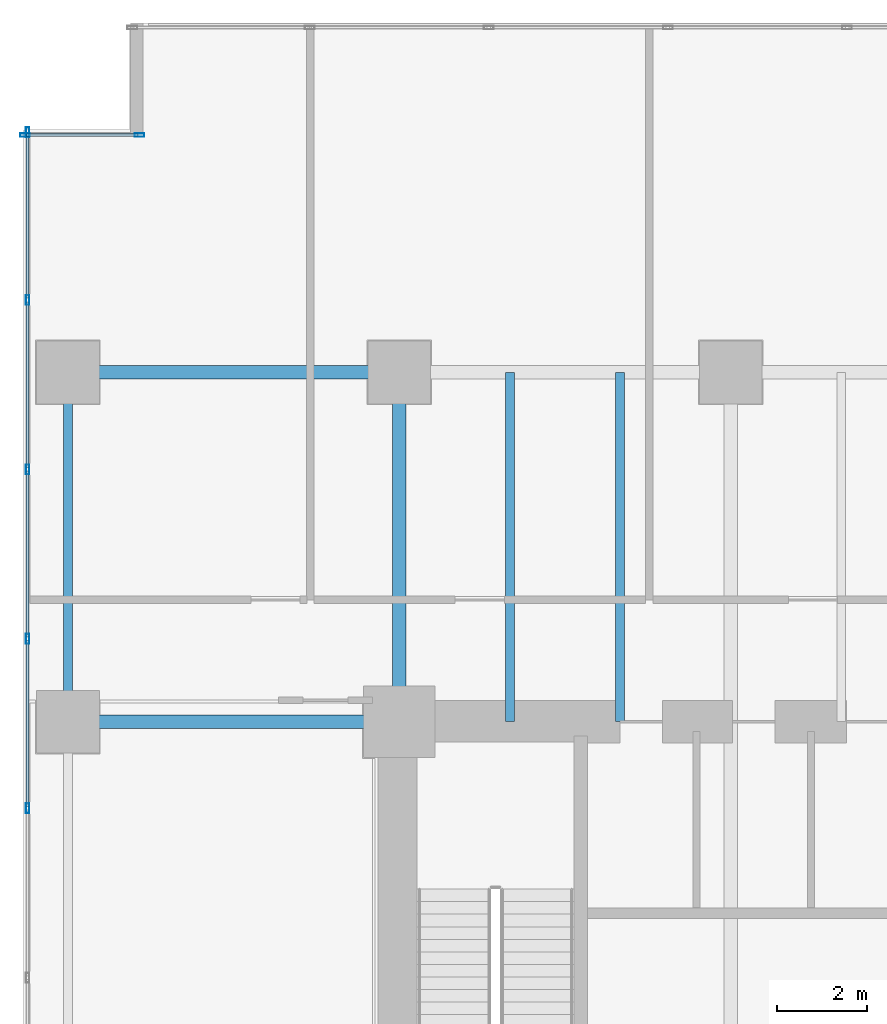
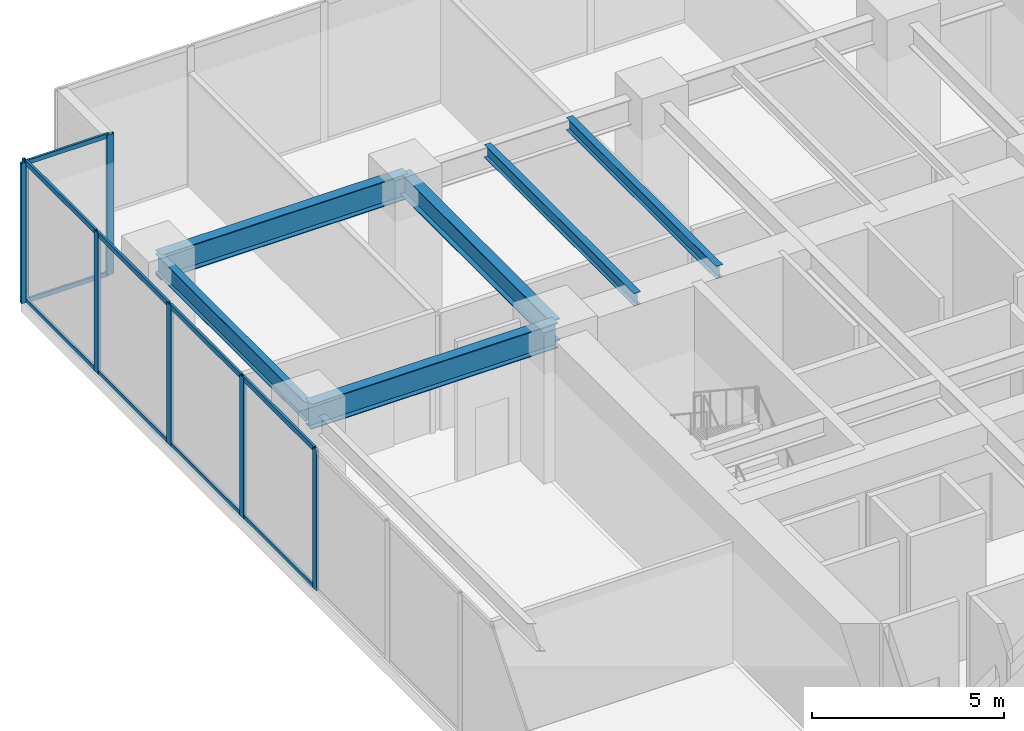
# One storey, part 15 of 39: 17 members, 6 beams, 2 elements without a shape of their own.
"""IFC4 building model written with IfcOpenShell, lengths in metres."""

from ifc_helpers import new_model, si_unit, direction, frame, origin, origin_2d, place, context, subcontext, project, spatial, hollow_rectangle, i_section, extrude, source, transform, mapped, material, layer, layer_set, material_profile, profile_set, type_object, type_shapes, element, aggregate, save


model = new_model("IFC4")

# Units and contexts
model_context = context("Model", 3, precision=1e-05, world=origin(), true_north=direction((0.0, 1.0)))
body_context = subcontext(model_context, "Body", "Model", "MODEL_VIEW")
ifc_project = project(units=[si_unit("LENGTHUNIT", "METRE"), si_unit("AREAUNIT", "SQUARE_METRE"), si_unit("VOLUMEUNIT", "CUBIC_METRE"), si_unit("PLANEANGLEUNIT", "RADIAN"), si_unit("MASSUNIT", "GRAM", prefix="KILO")], contexts=[model_context])

# Site, building, storey
site_placement = place(None, origin())
site = spatial("IfcSite", under=ifc_project, at=site_placement, CompositionType="ELEMENT")
building_placement = place(site_placement, origin())
building = spatial("IfcBuilding", under=site, at=building_placement, Name="Haelvirn Gate Laboratories", CompositionType="ELEMENT")
storey_placement = place(building_placement, frame((0.0, 0.0, 15.0)))
storey = spatial("IfcBuildingStorey", under=building, at=storey_placement, Name="L04", CompositionType="ELEMENT", Elevation=15.0)

# Beams
ifc_material_1 = material(Name="Steel SM420", Category="steel")
ifc_material_profile_1 = material_profile(ifc_material_1, i_section(OverallWidth=0.300048828125, OverallDepth=0.800048828125, WebThickness=0.013916015625, FlangeThickness=0.02587890625, at=origin_2d()), Name="H-800x300x14x26")
ifc_profile_set_1 = profile_set([ifc_material_profile_1], Name="Steel SM420")
beam_type_1 = type_object("IfcBeamType", Name="BM-G-800", PredefinedType="BEAM", material=ifc_profile_set_1)
shared_shape_1 = source(origin(), body_context, "Body", "SweptSolid", [
    extrude(i_section(OverallWidth=0.300048828125, OverallDepth=0.800048828125, WebThickness=0.013916015625, FlangeThickness=0.02587890625, at=origin_2d()), origin(), (0.0, 0.0, 1.0), 7.39990234375),
])
type_shapes(beam_type_1, [shared_shape_1])
for number, where, z_axis, x_axis, name in (
    (1, (0.0, 33.800048828125, 4.050048828125), (1.0, 0.0, 0.0), (0.0, 1.0, 0.0), "L04 Primary Girder Y33.8 (0.0-7.4)"),
    (2, (0.0, 41.60009765625, 4.050048828125), (1.0, 0.0, 0.0), (0.0, 1.0, 0.0), "L04 Primary Girder Y41.6 (0.0-7.4)"),
):
    element("IfcBeam", number, at=place(storey_placement, frame(where, z_axis=z_axis, x_axis=x_axis)), inside=storey, type_object=beam_type_1, Name=name, PredefinedType="BEAM", context=body_context, shape_type="MappedRepresentation", body=[
        mapped(shared_shape_1, transform((0.0, 0.0, 0.0), scale=1.0)),
    ])
ifc_material_2 = material(Name="Steel SM355", Category="steel")
ifc_material_profile_2 = material_profile(ifc_material_2, i_section(OverallWidth=0.199951171875, OverallDepth=0.60009765625, WebThickness=0.010986328125, FlangeThickness=0.01708984375, at=origin_2d()), Name="H-600x200x11x17")
ifc_profile_set_2 = profile_set([ifc_material_profile_2], Name="Steel SM355")
beam_type_2 = type_object("IfcBeamType", Name="BM-SP-600", PredefinedType="SPANDREL", material=ifc_profile_set_2)
shared_shape_2 = source(origin(), body_context, "Body", "SweptSolid", [
    extrude(i_section(OverallWidth=0.199951171875, OverallDepth=0.60009765625, WebThickness=0.010986328125, FlangeThickness=0.01708984375, at=origin_2d()), origin(), (0.0, 0.0, 1.0), 7.800048828125),
])
type_shapes(beam_type_2, [shared_shape_2])
beam_1_placement = place(storey_placement, frame((0.0, 33.800048828125, 4.14990234375), z_axis=(0.0, 1.0, 0.0), x_axis=(-1.0, 0.0, 0.0)))
element("IfcBeam", 3, at=beam_1_placement, inside=storey, type_object=beam_type_2, Name="L04 Perimeter Spandrel X0.0 (33.8-41.6)", PredefinedType="SPANDREL", context=body_context, shape_type="MappedRepresentation", body=[
    mapped(shared_shape_2, transform((0.0, 0.0, 0.0), scale=1.0)),
])
ifc_material_profile_3 = material_profile(ifc_material_2, i_section(OverallWidth=0.199951171875, OverallDepth=0.39990234375, WebThickness=0.008056640625, FlangeThickness=0.012939453125, at=origin_2d()), Name="H-400x200x8x13")
ifc_profile_set_3 = profile_set([ifc_material_profile_3], Name="Steel SM355")
beam_type_3 = type_object("IfcBeamType", Name="BM-J-400", PredefinedType="JOIST", material=ifc_profile_set_3)
shared_shape_3 = source(origin(), body_context, "Body", "SweptSolid", [
    extrude(i_section(OverallWidth=0.199951171875, OverallDepth=0.39990234375, WebThickness=0.008056640625, FlangeThickness=0.012939453125, at=origin_2d()), origin(), (0.0, 0.0, 1.0), 7.800048828125),
])
type_shapes(beam_type_3, [shared_shape_3])
for number, where, z_axis, x_axis, name in (
    (4, (9.8701171875, 33.800048828125, 4.25), (0.0, 1.0, 0.0), (-1.0, 0.0, 0.0), "L04 Composite Lab Joist North X9.87"),
    (5, (12.330078125, 33.800048828125, 4.25), (0.0, 1.0, 0.0), (-1.0, 0.0, 0.0), "L04 Composite Lab Joist North X12.33"),
):
    element("IfcBeam", number, at=place(storey_placement, frame(where, z_axis=z_axis, x_axis=x_axis)), inside=storey, type_object=beam_type_3, Name=name, PredefinedType="JOIST", context=body_context, shape_type="MappedRepresentation", body=[
        mapped(shared_shape_3, transform((0.0, 0.0, 0.0), scale=1.0)),
    ])
ifc_material_profile_4 = material_profile(ifc_material_2, i_section(OverallWidth=0.300048828125, OverallDepth=0.699951171875, WebThickness=0.012939453125, FlangeThickness=0.02392578125, at=origin_2d()), Name="H-700x300x13x24")
ifc_profile_set_4 = profile_set([ifc_material_profile_4], Name="Steel SM355")
beam_type_4 = type_object("IfcBeamType", Name="BM-G-700", PredefinedType="BEAM", material=ifc_profile_set_4)
shared_shape_4 = source(origin(), body_context, "Body", "SweptSolid", [
    extrude(i_section(OverallWidth=0.300048828125, OverallDepth=0.699951171875, WebThickness=0.012939453125, FlangeThickness=0.02392578125, at=origin_2d()), origin(), (0.0, 0.0, 1.0), 7.800048828125),
])
type_shapes(beam_type_4, [shared_shape_4])
beam_2_placement = place(storey_placement, frame((7.39990234375, 33.800048828125, 4.10009765625), z_axis=(0.0, 1.0, 0.0), x_axis=(-1.0, 0.0, 0.0)))
element("IfcBeam", 6, at=beam_2_placement, inside=storey, type_object=beam_type_4, Name="L04 Frame Girder X7.4 (33.8-41.6)", PredefinedType="BEAM", context=body_context, shape_type="MappedRepresentation", body=[
    mapped(shared_shape_4, transform((0.0, 0.0, 0.0), scale=1.0)),
])

# Curtain wall, members
ifc_material_3 = material(Name="Anodised bronze unitised aluminium & triple low-E glass", Category="aluminium")
ifc_layer_1 = layer(ifc_material_3, 0.181884765625, Name="CW-SYS-5")
ifc_layer_set_1 = layer_set([ifc_layer_1], Name="Anodised bronze unitised aluminium & triple low-E glass")
curtain_wall_type_1 = type_object("IfcCurtainWallType", Name="CW-SYS-5", PredefinedType="NOTDEFINED", material=ifc_layer_set_1)
curtain_wall_1_placement = place(storey_placement, origin())
curtain_wall_1 = element("IfcCurtainWall", 7, at=curtain_wall_1_placement, inside=storey, type_object=curtain_wall_type_1, Name="L04 Unitised Curtain Wall CW-L04-P0-E04-1", PredefinedType="NOTDEFINED")
ifc_material_4 = material(Name="Extruded aluminium 6063-T6 (anodised bronze)", Category="aluminium")
ifc_material_profile_5 = material_profile(ifc_material_4, hollow_rectangle(XDim=0.06494140625, YDim=0.139892578125, WallThickness=0.00390625, at=origin_2d()), Name="CWT-140x65x4")
ifc_profile_set_5 = profile_set([ifc_material_profile_5], Name="Extruded aluminium 6063-T6 (anodised bronze)")
member_type_1 = type_object("IfcMemberType", Name="CWT-T140", PredefinedType="USERDEFINED", material=ifc_profile_set_5)
shared_shape_5 = source(origin(), body_context, "Body", "SweptSolid", [
    extrude(hollow_rectangle(XDim=0.06494140625, YDim=0.139892578125, WallThickness=0.00390625, at=origin_2d()), origin(), (0.0, 0.0, 1.0), 2.47998046875),
])
type_shapes(member_type_1, [shared_shape_5])
member_1_placement = place(storey_placement, frame((-0.919921875, 46.89990234375, 0.032470703125), z_axis=(1.0, 0.0, 0.0), x_axis=(0.0, 1.0, 0.0)))
member_1 = element("IfcMember", 8, at=member_1_placement, type_object=member_type_1, Name="CW5 transom 1.1", ObjectType="TRANSOM", PredefinedType="USERDEFINED", context=body_context, shape_type="MappedRepresentation", body=[
    mapped(shared_shape_5, transform((0.0, 0.0, 0.0), scale=1.0)),
])
member_2_placement = place(storey_placement, frame((-0.919921875, 46.89990234375, 4.41748046875), z_axis=(1.0, 0.0, 0.0), x_axis=(0.0, 1.0, 0.0)))
member_2 = element("IfcMember", 9, at=member_2_placement, type_object=member_type_1, Name="CW5 transom 1.2", ObjectType="TRANSOM", PredefinedType="USERDEFINED", context=body_context, shape_type="MappedRepresentation", body=[
    mapped(shared_shape_5, transform((0.0, 0.0, 0.0), scale=1.0)),
])

ifc_layer_2 = layer(ifc_material_3, 0.18798828125, Name="CW-SYS-1")
ifc_layer_set_2 = layer_set([ifc_layer_2], Name="Anodised bronze unitised aluminium & triple low-E glass")
curtain_wall_type_2 = type_object("IfcCurtainWallType", Name="CW-SYS-1", PredefinedType="NOTDEFINED", material=ifc_layer_set_2)
curtain_wall_2_placement = place(storey_placement, origin())
curtain_wall_2 = element("IfcCurtainWall", 10, at=curtain_wall_2_placement, inside=storey, type_object=curtain_wall_type_2, Name="L04 Unitised Curtain Wall CW-L04-P0-E05", PredefinedType="NOTDEFINED")
ifc_material_profile_6 = material_profile(ifc_material_4, hollow_rectangle(XDim=0.070068359375, YDim=0.159912109375, WallThickness=0.0048828125, at=origin_2d()), Name="CWT-160x70x5")
ifc_profile_set_6 = profile_set([ifc_material_profile_6], Name="Extruded aluminium 6063-T6 (anodised bronze)")
member_type_2 = type_object("IfcMemberType", Name="CWT-T160", PredefinedType="USERDEFINED", material=ifc_profile_set_6)
shared_shape_6 = source(origin(), body_context, "Body", "SweptSolid", [
    extrude(hollow_rectangle(XDim=0.070068359375, YDim=0.159912109375, WallThickness=0.0048828125, at=origin_2d()), origin(), (0.0, 0.0, 1.0), 3.663330078125),
])
member_3_placement = place(storey_placement, frame((-0.89990234375, 46.919921875, 0.034912109375), z_axis=(0.0, -1.0, 0.0), x_axis=(1.0, 0.0, 0.0)))
member_3 = element("IfcMember", 11, at=member_3_placement, type_object=member_type_2, Name="CW1 transom 1.1", ObjectType="TRANSOM", PredefinedType="USERDEFINED", context=body_context, shape_type="MappedRepresentation", body=[
    mapped(shared_shape_6, transform((0.0, 0.0, 0.0), scale=1.0)),
])
member_4_placement = place(storey_placement, frame((-0.89990234375, 46.919921875, 4.4150390625), z_axis=(0.0, -1.0, 0.0), x_axis=(1.0, 0.0, 0.0)))
member_4 = element("IfcMember", 12, at=member_4_placement, type_object=member_type_2, Name="CW1 transom 1.2", ObjectType="TRANSOM", PredefinedType="USERDEFINED", context=body_context, shape_type="MappedRepresentation", body=[
    mapped(shared_shape_6, transform((0.0, 0.0, 0.0), scale=1.0)),
])
shared_shape_7 = source(origin(), body_context, "Body", "SweptSolid", [
    extrude(hollow_rectangle(XDim=0.070068359375, YDim=0.159912109375, WallThickness=0.0048828125, at=origin_2d()), origin(), (0.0, 0.0, 1.0), 3.703369140625),
])
type_shapes(member_type_2, [shared_shape_6, shared_shape_7])
member_5_placement = place(storey_placement, frame((-0.89990234375, 43.1767578125, 0.034912109375), z_axis=(0.0, -1.0, 0.0), x_axis=(1.0, 0.0, 0.0)))
member_5 = element("IfcMember", 13, at=member_5_placement, type_object=member_type_2, Name="CW1 transom 2.1", ObjectType="TRANSOM", PredefinedType="USERDEFINED", context=body_context, shape_type="MappedRepresentation", body=[
    mapped(shared_shape_7, transform((0.0, 0.0, 0.0), scale=1.0)),
])
member_6_placement = place(storey_placement, frame((-0.89990234375, 43.1767578125, 4.4150390625), z_axis=(0.0, -1.0, 0.0), x_axis=(1.0, 0.0, 0.0)))
member_6 = element("IfcMember", 14, at=member_6_placement, type_object=member_type_2, Name="CW1 transom 2.2", ObjectType="TRANSOM", PredefinedType="USERDEFINED", context=body_context, shape_type="MappedRepresentation", body=[
    mapped(shared_shape_7, transform((0.0, 0.0, 0.0), scale=1.0)),
])
member_7_placement = place(storey_placement, frame((-0.89990234375, 39.393310546875, 0.034912109375), z_axis=(0.0, -1.0, 0.0), x_axis=(1.0, 0.0, 0.0)))
member_7 = element("IfcMember", 15, at=member_7_placement, type_object=member_type_2, Name="CW1 transom 3.1", ObjectType="TRANSOM", PredefinedType="USERDEFINED", context=body_context, shape_type="MappedRepresentation", body=[
    mapped(shared_shape_7, transform((0.0, 0.0, 0.0), scale=1.0)),
])
member_8_placement = place(storey_placement, frame((-0.89990234375, 39.393310546875, 4.4150390625), z_axis=(0.0, -1.0, 0.0), x_axis=(1.0, 0.0, 0.0)))
member_8 = element("IfcMember", 16, at=member_8_placement, type_object=member_type_2, Name="CW1 transom 3.2", ObjectType="TRANSOM", PredefinedType="USERDEFINED", context=body_context, shape_type="MappedRepresentation", body=[
    mapped(shared_shape_7, transform((0.0, 0.0, 0.0), scale=1.0)),
])
member_9_placement = place(storey_placement, frame((-0.89990234375, 35.610107421875, 0.034912109375), z_axis=(0.0, -1.0, 0.0), x_axis=(1.0, 0.0, 0.0)))
member_9 = element("IfcMember", 17, at=member_9_placement, type_object=member_type_2, Name="CW1 transom 4.1", ObjectType="TRANSOM", PredefinedType="USERDEFINED", context=body_context, shape_type="MappedRepresentation", body=[
    mapped(shared_shape_7, transform((0.0, 0.0, 0.0), scale=1.0)),
])
member_10_placement = place(storey_placement, frame((-0.89990234375, 35.610107421875, 4.4150390625), z_axis=(0.0, -1.0, 0.0), x_axis=(1.0, 0.0, 0.0)))
member_10 = element("IfcMember", 18, at=member_10_placement, type_object=member_type_2, Name="CW1 transom 4.2", ObjectType="TRANSOM", PredefinedType="USERDEFINED", context=body_context, shape_type="MappedRepresentation", body=[
    mapped(shared_shape_7, transform((0.0, 0.0, 0.0), scale=1.0)),
])

# Member
ifc_material_profile_7 = material_profile(ifc_material_4, hollow_rectangle(XDim=0.080078125, YDim=0.219970703125, WallThickness=0.006103515625, at=origin_2d()), Name="CWM-220x80x6")
ifc_profile_set_7 = profile_set([ifc_material_profile_7], Name="Extruded aluminium 6063-T6 (anodised bronze)")
member_type_3 = type_object("IfcMemberType", Name="CWM-T220", PredefinedType="MULLION", material=ifc_profile_set_7)
shared_shape_8 = source(origin(), body_context, "Body", "SweptSolid", [
    extrude(hollow_rectangle(XDim=0.080078125, YDim=0.219970703125, WallThickness=0.006103515625, at=origin_2d()), origin(), (0.0, 0.0, 1.0), 4.449951171875),
])
type_shapes(member_type_3, [shared_shape_8])
member_11_placement = place(storey_placement, frame((-0.9599609375, 46.89990234375, 0.0), z_axis=(0.0, 0.0, 1.0), x_axis=(0.0, 1.0, 0.0)))
member_11 = element("IfcMember", 19, at=member_11_placement, type_object=member_type_3, Name="CW5 mullion 1", PredefinedType="MULLION", context=body_context, shape_type="MappedRepresentation", body=[
    mapped(shared_shape_8, transform((0.0, 0.0, 0.0), scale=1.0)),
])

member_12_placement = place(storey_placement, frame((1.60009765625, 46.89990234375, 0.0), z_axis=(0.0, 0.0, 1.0), x_axis=(0.0, 1.0, 0.0)))
member_12 = element("IfcMember", 20, at=member_12_placement, type_object=member_type_3, Name="CW5 mullion 2", PredefinedType="MULLION", context=body_context, shape_type="MappedRepresentation", body=[
    mapped(shared_shape_8, transform((0.0, 0.0, 0.0), scale=1.0)),
])

aggregate(curtain_wall_1, [member_11, member_12, member_1, member_2])

member_13_placement = place(storey_placement, frame((-0.89990234375, 46.9599609375, 0.0), z_axis=(0.0, 0.0, 1.0), x_axis=(1.0, 0.0, 0.0)))
member_13 = element("IfcMember", 21, at=member_13_placement, type_object=member_type_3, Name="CW1 mullion 1", PredefinedType="MULLION", context=body_context, shape_type="MappedRepresentation", body=[
    mapped(shared_shape_8, transform((0.0, 0.0, 0.0), scale=1.0)),
])

member_14_placement = place(storey_placement, frame((-0.89990234375, 43.216552734375, 0.0), z_axis=(0.0, 0.0, 1.0), x_axis=(1.0, 0.0, 0.0)))
member_14 = element("IfcMember", 22, at=member_14_placement, type_object=member_type_3, Name="CW1 mullion 2", PredefinedType="MULLION", context=body_context, shape_type="MappedRepresentation", body=[
    mapped(shared_shape_8, transform((0.0, 0.0, 0.0), scale=1.0)),
])

member_15_placement = place(storey_placement, frame((-0.89990234375, 39.433349609375, 0.0), z_axis=(0.0, 0.0, 1.0), x_axis=(1.0, 0.0, 0.0)))
member_15 = element("IfcMember", 23, at=member_15_placement, type_object=member_type_3, Name="CW1 mullion 3", PredefinedType="MULLION", context=body_context, shape_type="MappedRepresentation", body=[
    mapped(shared_shape_8, transform((0.0, 0.0, 0.0), scale=1.0)),
])

member_16_placement = place(storey_placement, frame((-0.89990234375, 35.64990234375, 0.0), z_axis=(0.0, 0.0, 1.0), x_axis=(1.0, 0.0, 0.0)))
member_16 = element("IfcMember", 24, at=member_16_placement, type_object=member_type_3, Name="CW1 mullion 4", PredefinedType="MULLION", context=body_context, shape_type="MappedRepresentation", body=[
    mapped(shared_shape_8, transform((0.0, 0.0, 0.0), scale=1.0)),
])

member_17_placement = place(storey_placement, frame((-0.89990234375, 31.86669921875, 0.0), z_axis=(0.0, 0.0, 1.0), x_axis=(1.0, 0.0, 0.0)))
member_17 = element("IfcMember", 25, at=member_17_placement, type_object=member_type_3, Name="CW1 mullion 5", PredefinedType="MULLION", context=body_context, shape_type="MappedRepresentation", body=[
    mapped(shared_shape_8, transform((0.0, 0.0, 0.0), scale=1.0)),
])

aggregate(curtain_wall_2, [member_13, member_14, member_15, member_16, member_17, member_3, member_4, member_5, member_6, member_7, member_8, member_9, member_10])

save(model, "model.ifc")
